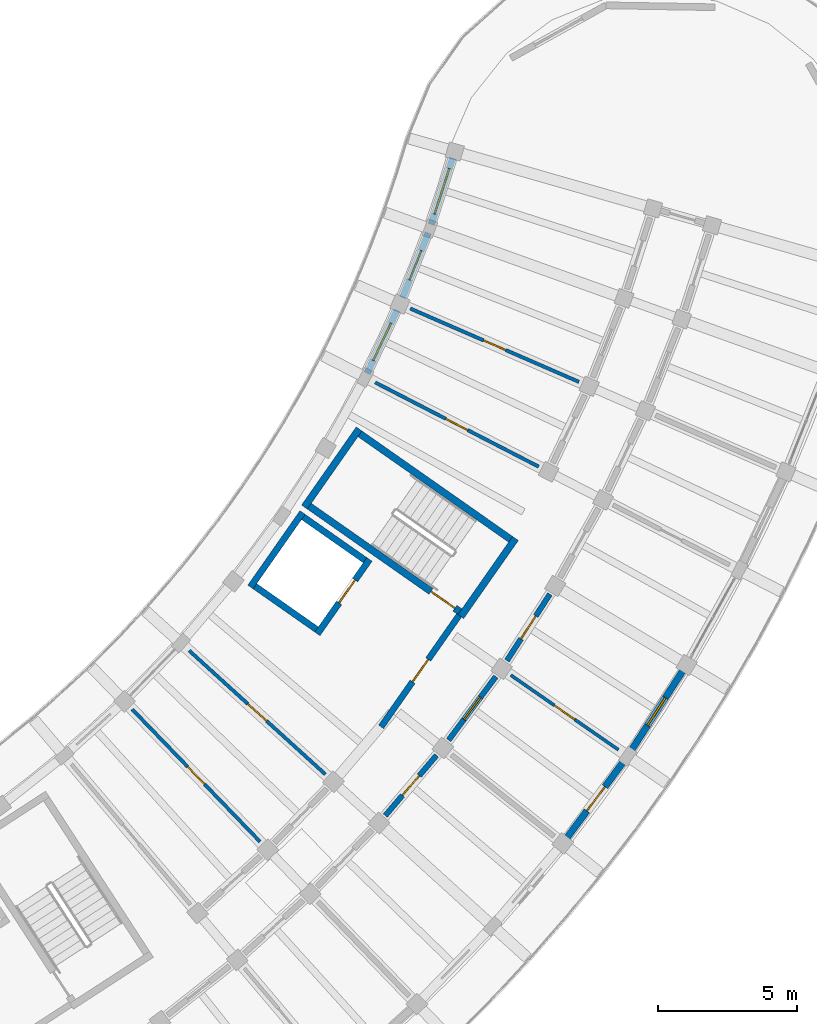
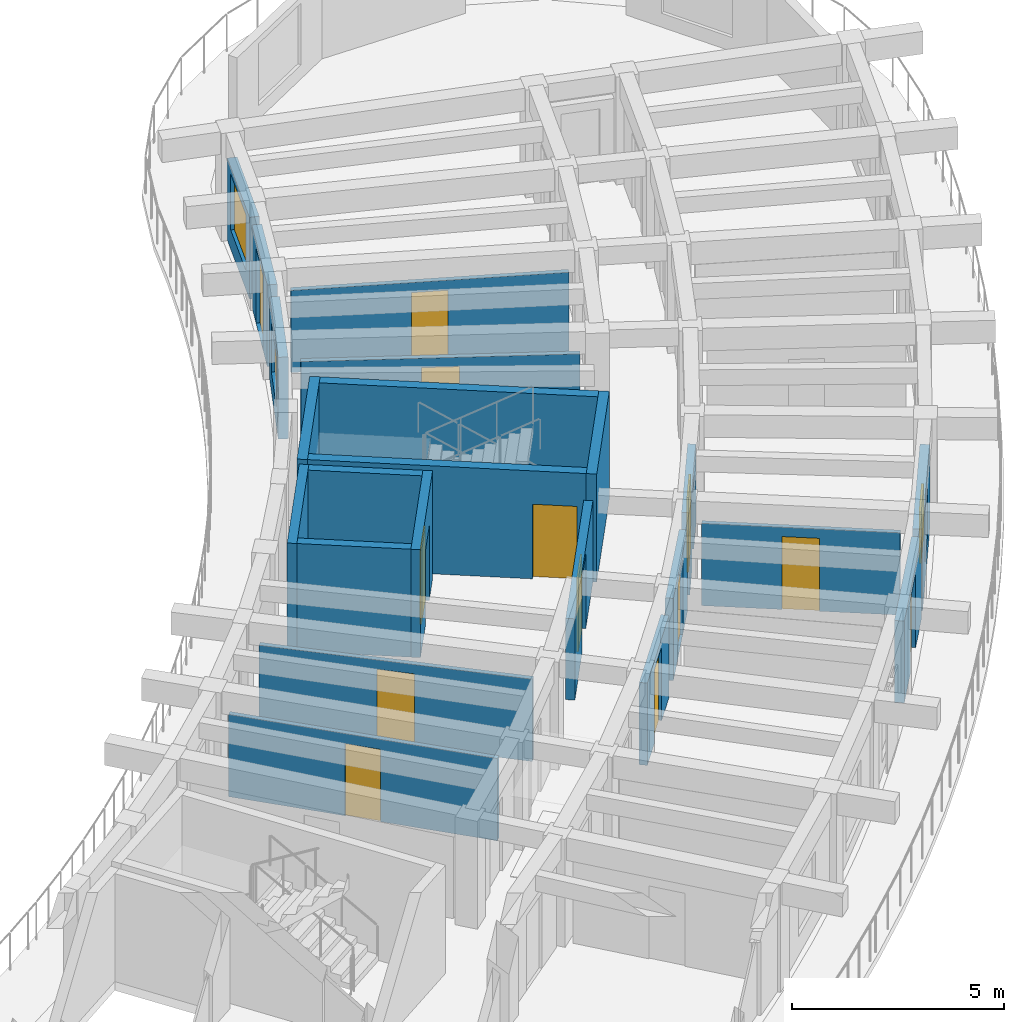
# One storey, part 68 of 96: 22 walls, 13 doors, 3 windows, 16 openings.
"""IFC4 building model written with IfcOpenShell, lengths in metres."""

from ifc_helpers import new_model, si_unit, direction, frame, frame_2d, origin, place, context, subcontext, project, spatial, rectangle, extrude, material, layer, layer_set, type_object, element, fill, save


model = new_model("IFC4")

# Units and contexts
model_context = context("Model", 3, precision=1e-05, world=origin(), true_north=direction((0.0, 1.0)))
body_context = subcontext(model_context, "Body", "Model", "MODEL_VIEW")
ifc_project = project(units=[si_unit("LENGTHUNIT", "METRE"), si_unit("AREAUNIT", "SQUARE_METRE"), si_unit("VOLUMEUNIT", "CUBIC_METRE"), si_unit("PLANEANGLEUNIT", "RADIAN"), si_unit("MASSUNIT", "GRAM", prefix="KILO")], contexts=[model_context])

# Site, building, storey
site_placement = place(None, origin())
site = spatial("IfcSite", under=ifc_project, at=site_placement, CompositionType="ELEMENT")
building_placement = place(site_placement, origin())
building = spatial("IfcBuilding", under=site, at=building_placement, Name="Tanwirah Colonnade Gardens", CompositionType="ELEMENT")
storey_placement = place(building_placement, frame((0.0, 0.0, 12.199951171875)))
storey = spatial("IfcBuildingStorey", under=building, at=storey_placement, Name="L03", CompositionType="ELEMENT", Elevation=12.199951171875)

# Wall, opening, door
ifc_material_1 = material(Name="Limestone architectural precast concrete C40/50", Category="masonry")
ifc_layer_1 = layer(ifc_material_1, 0.239990234375)
ifc_layer_set_1 = layer_set([ifc_layer_1], Name="Limestone architectural precast concrete C40/50")
wall_type_1 = type_object("IfcWallType", Name="EW-PC240", PredefinedType="SOLIDWALL", material=ifc_layer_set_1)
wall_1_placement = place(storey_placement, frame((167.75341796875, 27.6298828125, 0.0), z_axis=(0.0, 0.0, 1.0), x_axis=(0.596611432616, 0.802530247699, 0.0)))
wall_1 = element("IfcWall", 1, at=wall_1_placement, inside=storey, type_object=wall_type_1, Name="Block D L03 OUT Precast Facade Wall 10", PredefinedType="SOLIDWALL", context=body_context, shape_type="SweptSolid", body=[
    extrude(rectangle(XDim=3.48681640625, YDim=0.239990234375, at=frame_2d((1.743408203125, 0.0))), origin(), (0.0, 0.0, 1.0), 2.35498046875),
])
opening_1_placement = place(wall_1_placement, frame((1.203369140625, 0.0, 0.0)))
opening_1 = element("IfcOpeningElement", 2, at=opening_1_placement, cuts=wall_1, Name="Opening L03-ED190", PredefinedType="OPENING", context=body_context, shape_type="SweptSolid", body=[
    extrude(rectangle(XDim=1.080078125, YDim=2.14990234375, at=frame_2d((0.5400390625, 1.074951171875))), frame((0.0, 0.1298828125, 0.0), z_axis=(0.0, -1.0, 0.0), x_axis=(1.0, 0.0, 0.0)), (0.0, 0.0, 1.0), 0.260009765625),
])
ifc_material_2 = material(Name="Bronze aluminium glazed balcony door", Category="aluminium")
door_type_1 = type_object("IfcDoorType", Name="ED-BAL108", OperationType="NOTDEFINED", PredefinedType="DOOR", material=ifc_material_2)
door_1_placement = place(opening_1_placement, origin())
door_1 = element("IfcDoor", 3, at=door_1_placement, inside=storey, type_object=door_type_1, Name="Balcony glazed door L03-ED190", OperationType="SINGLE_SWING_RIGHT", OverallHeight=2.14990234375, OverallWidth=1.080078125, PredefinedType="DOOR", context=body_context, shape_type="SweptSolid", body=[
    extrude(rectangle(XDim=1.080078125, YDim=2.14990234375, at=frame_2d((0.5400390625, 1.074951171875))), frame((0.0, 0.02490234375, 0.0), z_axis=(0.0, -1.0, 0.0), x_axis=(1.0, 0.0, 0.0)), (0.0, 0.0, 1.0), 0.050048828125),
])
fill(opening_1, door_1)

# Wall, opening, window
wall_2_placement = place(storey_placement, frame((170.015869140625, 30.691162109375, 0.0), z_axis=(0.0, 0.0, 1.0), x_axis=(0.542833164741, 0.839840553472, 0.0)))
wall_2 = element("IfcWall", 4, at=wall_2_placement, inside=storey, type_object=wall_type_1, Name="Block D L03 OUT Precast Facade Wall 11", PredefinedType="SOLIDWALL", context=body_context, shape_type="SweptSolid", body=[
    extrude(rectangle(XDim=3.48681640625, YDim=0.239990234375, at=frame_2d((1.743408203125, 0.0))), origin(), (0.0, 0.0, 1.0), 2.35498046875),
])
opening_2_placement = place(wall_2_placement, frame((1.1533203125, 0.0, 0.550048828125)))
opening_2 = element("IfcOpeningElement", 5, at=opening_2_placement, cuts=wall_2, Name="Opening WIN-T16", PredefinedType="OPENING", context=body_context, shape_type="SweptSolid", body=[
    extrude(rectangle(XDim=1.179931640625, YDim=1.47998046875, at=frame_2d((0.58984375, 0.739990234375))), frame((0.0, 0.1298828125, 0.0), z_axis=(0.0, -1.0, 0.0), x_axis=(1.0, 0.0, 0.0)), (0.0, 0.0, 1.0), 0.260009765625),
])
ifc_material_3 = material(Name="Thermally broken bronze aluminium and solar low-E double glazing", Category="aluminium")
window_type_1 = type_object("IfcWindowType", Name="WIN-T16", PartitioningType="SINGLE_PANEL", PredefinedType="WINDOW", material=ifc_material_3)
window_1_placement = place(opening_2_placement, origin())
window_1 = element("IfcWindow", 6, at=window_1_placement, inside=storey, type_object=window_type_1, Name="Facade window D-L03-OUT-11", OverallHeight=1.47998046875, OverallWidth=1.179931640625, PartitioningType="SINGLE_PANEL", PredefinedType="WINDOW", context=body_context, shape_type="SweptSolid", body=[
    extrude(rectangle(XDim=1.179931640625, YDim=1.47998046875, at=frame_2d((0.58984375, 0.739990234375))), frame((0.0, 0.030029296875, 0.0), z_axis=(0.0, -1.0, 0.0), x_axis=(1.0, 0.0, 0.0)), (0.0, 0.0, 1.0), 0.06005859375),
])
fill(opening_2, window_1)

wall_3_placement = place(storey_placement, frame((160.58544921875, 44.2919921875, 0.0), z_axis=(0.0, 0.0, 1.0), x_axis=(0.428514676045, 0.903534820809, 0.0)))
wall_3 = element("IfcWall", 7, at=wall_3_placement, inside=storey, type_object=wall_type_1, Name="Block D L03 IN Precast Facade Wall 13", PredefinedType="SOLIDWALL", context=body_context, shape_type="SweptSolid", body=[
    extrude(rectangle(XDim=2.498779296875, YDim=0.239990234375, at=frame_2d((1.24951171875, 0.0))), origin(), (0.0, 0.0, 1.0), 2.35498046875),
])
opening_3_placement = place(wall_3_placement, frame((0.509521484375, 0.0, 0.550048828125)))
opening_3 = element("IfcOpeningElement", 8, at=opening_3_placement, cuts=wall_3, Name="Opening WIN-U09", PredefinedType="OPENING", context=body_context, shape_type="SweptSolid", body=[
    extrude(rectangle(XDim=1.47998046875, YDim=1.4599609375, at=frame_2d((0.739990234375, 0.72998046875))), frame((0.0, 0.1298828125, 0.0), z_axis=(0.0, -1.0, 0.0), x_axis=(1.0, 0.0, 0.0)), (0.0, 0.0, 1.0), 0.260009765625),
])
window_type_2 = type_object("IfcWindowType", Name="WIN-U09", PartitioningType="DOUBLE_PANEL_VERTICAL", PredefinedType="WINDOW", material=ifc_material_3)
window_2_placement = place(opening_3_placement, origin())
window_2 = element("IfcWindow", 9, at=window_2_placement, inside=storey, type_object=window_type_2, Name="Facade window D-L03-IN-13", OverallHeight=1.4599609375, OverallWidth=1.47998046875, PartitioningType="SINGLE_PANEL", PredefinedType="WINDOW", context=body_context, shape_type="SweptSolid", body=[
    extrude(rectangle(XDim=1.47998046875, YDim=1.4599609375, at=frame_2d((0.739990234375, 0.72998046875))), frame((0.0, 0.030029296875, 0.0), z_axis=(0.0, -1.0, 0.0), x_axis=(1.0, 0.0, 0.0)), (0.0, 0.0, 1.0), 0.06005859375),
])
fill(opening_3, window_2)

# Wall, opening, door
wall_4_placement = place(storey_placement, frame((161.85546875, 47.008056640625, 0.0), z_axis=(0.0, 0.0, 1.0), x_axis=(0.368558756085, 0.9296044553, 0.0)))
wall_4 = element("IfcWall", 10, at=wall_4_placement, inside=storey, type_object=wall_type_1, Name="Block D L03 IN Precast Facade Wall 14", PredefinedType="SOLIDWALL", context=body_context, shape_type="SweptSolid", body=[
    extrude(rectangle(XDim=2.49853515625, YDim=0.239990234375, at=frame_2d((1.249267578125, 0.0))), origin(), (0.0, 0.0, 1.0), 2.35498046875),
])
opening_4_placement = place(wall_4_placement, frame((0.679443359375, 0.0, 0.0)))
opening_4 = element("IfcOpeningElement", 11, at=opening_4_placement, cuts=wall_4, Name="Opening L03-ED191", PredefinedType="OPENING", context=body_context, shape_type="SweptSolid", body=[
    extrude(rectangle(XDim=1.139892578125, YDim=2.159912109375, at=frame_2d((0.56982421875, 1.080078125))), frame((0.0, 0.1298828125, 0.0), z_axis=(0.0, -1.0, 0.0), x_axis=(1.0, 0.0, 0.0)), (0.0, 0.0, 1.0), 0.260009765625),
])
door_type_2 = type_object("IfcDoorType", Name="ED-BAL114", OperationType="NOTDEFINED", PredefinedType="DOOR", material=ifc_material_2)
door_2_placement = place(opening_4_placement, origin())
door_2 = element("IfcDoor", 12, at=door_2_placement, inside=storey, type_object=door_type_2, Name="Balcony glazed door L03-ED191", OperationType="SINGLE_SWING_RIGHT", OverallHeight=2.159912109375, OverallWidth=1.139892578125, PredefinedType="DOOR", context=body_context, shape_type="SweptSolid", body=[
    extrude(rectangle(XDim=1.139892578125, YDim=2.159912109375, at=frame_2d((0.56982421875, 1.080078125))), frame((0.0, 0.02490234375, 0.0), z_axis=(0.0, -1.0, 0.0), x_axis=(1.0, 0.0, 0.0)), (0.0, 0.0, 1.0), 0.050048828125),
])
fill(opening_4, door_2)

# Wall, opening, window
wall_5_placement = place(storey_placement, frame((162.88427734375, 49.6318359375, 0.0), z_axis=(0.0, 0.0, 1.0), x_axis=(0.306979942778, 0.951715984279, 0.0)))
wall_5 = element("IfcWall", 13, at=wall_5_placement, inside=storey, type_object=wall_type_1, Name="Block D L03 IN Precast Facade Wall 15", PredefinedType="SOLIDWALL", context=body_context, shape_type="SweptSolid", body=[
    extrude(rectangle(XDim=2.498779296875, YDim=0.239990234375, at=frame_2d((1.24951171875, 0.0))), origin(), (0.0, 0.0, 1.0), 2.35498046875),
])
opening_5_placement = place(wall_5_placement, frame((0.389404296875, 0.0, 0.550048828125)))
opening_5 = element("IfcOpeningElement", 14, at=opening_5_placement, cuts=wall_5, Name="Opening WIN-U15", PredefinedType="OPENING", context=body_context, shape_type="SweptSolid", body=[
    extrude(rectangle(XDim=1.719970703125, YDim=1.610107421875, at=frame_2d((0.85986328125, 0.80517578125))), frame((0.0, 0.1298828125, 0.0), z_axis=(0.0, -1.0, 0.0), x_axis=(1.0, 0.0, 0.0)), (0.0, 0.0, 1.0), 0.260009765625),
])
window_type_3 = type_object("IfcWindowType", Name="WIN-U15", PartitioningType="DOUBLE_PANEL_VERTICAL", PredefinedType="WINDOW", material=ifc_material_3)
window_3_placement = place(opening_5_placement, origin())
window_3 = element("IfcWindow", 15, at=window_3_placement, inside=storey, type_object=window_type_3, Name="Facade window D-L03-IN-15", OverallHeight=1.610107421875, OverallWidth=1.719970703125, PartitioningType="SINGLE_PANEL", PredefinedType="WINDOW", context=body_context, shape_type="SweptSolid", body=[
    extrude(rectangle(XDim=1.719970703125, YDim=1.610107421875, at=frame_2d((0.85986328125, 0.80517578125))), frame((0.0, 0.030029296875, 0.0), z_axis=(0.0, -1.0, 0.0), x_axis=(1.0, 0.0, 0.0)), (0.0, 0.0, 1.0), 0.06005859375),
])
fill(opening_5, window_3)

# Wall, opening, door
ifc_material_4 = material(Name="Precast concrete C40/50", Category="concrete")
ifc_layer_2 = layer(ifc_material_4, 0.195068359375)
ifc_layer_set_2 = layer_set([ifc_layer_2], Name="Precast concrete C40/50")
wall_type_2 = type_object("IfcWallType", Name="IW-CORR195", PredefinedType="PARTITIONING", material=ifc_layer_set_2)
wall_6_placement = place(storey_placement, frame((161.235595703125, 28.42529296875, 0.0), z_axis=(0.0, 0.0, 1.0), x_axis=(0.64778830669, 0.761820392032, 0.0)))
wall_6 = element("IfcWall", 16, at=wall_6_placement, inside=storey, type_object=wall_type_2, Name="Block D L03 OUT Corridor Wall 9", PredefinedType="PARTITIONING", context=body_context, shape_type="SweptSolid", body=[
    extrude(rectangle(XDim=2.8369140625, YDim=0.195068359375, at=frame_2d((1.41845703125, 0.0))), origin(), (0.0, 0.0, 1.0), 2.3701171875),
])
opening_6_placement = place(wall_6_placement, frame((0.95361328125, 0.0, 0.0)))
opening_6 = element("IfcOpeningElement", 17, at=opening_6_placement, cuts=wall_6, Name="Opening L03-AD1784", PredefinedType="OPENING", context=body_context, shape_type="SweptSolid", body=[
    extrude(rectangle(XDim=0.929931640625, YDim=2.1201171875, at=frame_2d((0.46484375, 1.06005859375))), frame((0.0, 0.107421875, 0.0), z_axis=(0.0, -1.0, 0.0), x_axis=(1.0, 0.0, 0.0)), (0.0, 0.0, 1.0), 0.215087890625),
])
ifc_material_5 = material(Name="Solid oak fire-resisting apartment entrance door")
door_type_3 = type_object("IfcDoorType", Name="ID-FLT093", OperationType="NOTDEFINED", PredefinedType="DOOR", material=ifc_material_5)
door_3_placement = place(opening_6_placement, origin())
door_3 = element("IfcDoor", 18, at=door_3_placement, inside=storey, type_object=door_type_3, Name="Apartment corridor door L03-AD1784", OperationType="SINGLE_SWING_LEFT", OverallHeight=2.1201171875, OverallWidth=0.929931640625, PredefinedType="DOOR", context=body_context, shape_type="SweptSolid", body=[
    extrude(rectangle(XDim=0.929931640625, YDim=2.1201171875, at=frame_2d((0.46484375, 1.06005859375))), frame((0.0, 0.02490234375, 0.0), z_axis=(0.0, -1.0, 0.0), x_axis=(1.0, 0.0, 0.0)), (0.0, 0.0, 1.0), 0.050048828125),
])
fill(opening_6, door_3)

wall_7_placement = place(storey_placement, frame((163.5087890625, 31.134033203125, 0.0), z_axis=(0.0, 0.0, 1.0), x_axis=(0.596552136601, 0.802574325727, 0.0)))
wall_7 = element("IfcWall", 19, at=wall_7_placement, inside=storey, type_object=wall_type_2, Name="Block D L03 OUT Corridor Wall 10", PredefinedType="PARTITIONING", context=body_context, shape_type="SweptSolid", body=[
    extrude(rectangle(XDim=2.8369140625, YDim=0.195068359375, at=frame_2d((1.41845703125, 0.0))), origin(), (0.0, 0.0, 1.0), 2.3701171875),
])
opening_7_placement = place(wall_7_placement, frame((0.923583984375, 0.0, 0.0)))
opening_7 = element("IfcOpeningElement", 20, at=opening_7_placement, cuts=wall_7, Name="Opening L03-AD1785", PredefinedType="OPENING", context=body_context, shape_type="SweptSolid", body=[
    extrude(rectangle(XDim=0.989990234375, YDim=2.159912109375, at=frame_2d((0.4951171875, 1.080078125))), frame((0.0, 0.107421875, 0.0), z_axis=(0.0, -1.0, 0.0), x_axis=(1.0, 0.0, 0.0)), (0.0, 0.0, 1.0), 0.215087890625),
])
door_type_4 = type_object("IfcDoorType", Name="ID-FLT099", OperationType="NOTDEFINED", PredefinedType="DOOR", material=ifc_material_5)
door_4_placement = place(opening_7_placement, origin())
door_4 = element("IfcDoor", 21, at=door_4_placement, inside=storey, type_object=door_type_4, Name="Apartment corridor door L03-AD1785", OperationType="SINGLE_SWING_RIGHT", OverallHeight=2.159912109375, OverallWidth=0.989990234375, PredefinedType="DOOR", context=body_context, shape_type="SweptSolid", body=[
    extrude(rectangle(XDim=0.989990234375, YDim=2.159912109375, at=frame_2d((0.4951171875, 1.080078125))), frame((0.0, 0.02490234375, 0.0), z_axis=(0.0, -1.0, 0.0), x_axis=(1.0, 0.0, 0.0)), (0.0, 0.0, 1.0), 0.050048828125),
])
fill(opening_7, door_4)

wall_8_placement = place(storey_placement, frame((165.60009765625, 33.985595703125, 0.0), z_axis=(0.0, 0.0, 1.0), x_axis=(0.542787304957, 0.83987019329, 0.0)))
wall_8 = element("IfcWall", 22, at=wall_8_placement, inside=storey, type_object=wall_type_2, Name="Block D L03 OUT Corridor Wall 11", PredefinedType="PARTITIONING", context=body_context, shape_type="SweptSolid", body=[
    extrude(rectangle(XDim=2.8369140625, YDim=0.195068359375, at=frame_2d((1.41845703125, 0.0))), origin(), (0.0, 0.0, 1.0), 2.3701171875),
])
opening_8_placement = place(wall_8_placement, frame((0.93359375, 0.0, 0.0)))
opening_8 = element("IfcOpeningElement", 23, at=opening_8_placement, cuts=wall_8, Name="Opening L03-AD1787", PredefinedType="OPENING", context=body_context, shape_type="SweptSolid", body=[
    extrude(rectangle(XDim=0.969970703125, YDim=2.14990234375, at=frame_2d((0.48486328125, 1.074951171875))), frame((0.0, 0.107421875, 0.0), z_axis=(0.0, -1.0, 0.0), x_axis=(1.0, 0.0, 0.0)), (0.0, 0.0, 1.0), 0.215087890625),
])
door_type_5 = type_object("IfcDoorType", Name="ID-FLT097", OperationType="NOTDEFINED", PredefinedType="DOOR", material=ifc_material_5)
door_5_placement = place(opening_8_placement, origin())
door_5 = element("IfcDoor", 24, at=door_5_placement, inside=storey, type_object=door_type_5, Name="Apartment corridor door L03-AD1787", OperationType="SINGLE_SWING_LEFT", OverallHeight=2.14990234375, OverallWidth=0.969970703125, PredefinedType="DOOR", context=body_context, shape_type="SweptSolid", body=[
    extrude(rectangle(XDim=0.969970703125, YDim=2.14990234375, at=frame_2d((0.48486328125, 1.074951171875))), frame((0.0, 0.02490234375, 0.0), z_axis=(0.0, -1.0, 0.0), x_axis=(1.0, 0.0, 0.0)), (0.0, 0.0, 1.0), 0.050048828125),
])
fill(opening_8, door_5)

ifc_material_6 = material(Name="Autoclaved aerated masonry blockwork", Category="masonry")
ifc_layer_3 = layer(ifc_material_6, 0.219970703125)
ifc_layer_set_3 = layer_set([ifc_layer_3], Name="Autoclaved aerated masonry blockwork")
wall_type_3 = type_object("IfcWallType", Name="IW-FFL220", PredefinedType="PARTITIONING", material=ifc_layer_set_3)
wall_9_placement = place(storey_placement, frame((163.89501953125, 35.624267578125, 0.0), z_axis=(0.0, 0.0, 1.0), x_axis=(-0.573572687386, -0.819154669329, 0.0)))
wall_9 = element("IfcWall", 25, at=wall_9_placement, inside=storey, type_object=wall_type_3, Name="CORE-D2 L03 Enclosed Lobby Fire Wall", PredefinedType="PARTITIONING", context=body_context, shape_type="SweptSolid", body=[
    extrude(rectangle(XDim=4.900146484375, YDim=0.219970703125, at=frame_2d((2.4501953125, 0.0))), origin(), (0.0, 0.0, 1.0), 2.340087890625),
])
opening_9_placement = place(wall_9_placement, frame((1.949951171875, 0.0, 0.0)))
opening_9 = element("IfcOpeningElement", 26, at=opening_9_placement, cuts=wall_9, Name="Opening L03-LD203", PredefinedType="OPENING", context=body_context, shape_type="SweptSolid", body=[
    extrude(rectangle(XDim=0.97998046875, YDim=2.139892578125, at=frame_2d((0.489990234375, 1.06982421875))), frame((0.0, 0.119873046875, 0.0), z_axis=(0.0, -1.0, 0.0), x_axis=(1.0, 0.0, 0.0)), (0.0, 0.0, 1.0), 0.239990234375),
])
ifc_material_7 = material(Name="Acoustic fire-resisting lobby door")
door_type_6 = type_object("IfcDoorType", Name="ID-FFL098", OperationType="NOTDEFINED", PredefinedType="DOOR", material=ifc_material_7)
door_6_placement = place(opening_9_placement, origin())
door_6 = element("IfcDoor", 27, at=door_6_placement, inside=storey, type_object=door_type_6, Name="CORE-D2 L03 Lobby Fire Door L03-LD203", OperationType="SINGLE_SWING_RIGHT", OverallHeight=2.139892578125, OverallWidth=0.97998046875, PredefinedType="DOOR", context=body_context, shape_type="SweptSolid", body=[
    extrude(rectangle(XDim=0.97998046875, YDim=2.139892578125, at=frame_2d((0.489990234375, 1.06982421875))), frame((0.0, 0.02490234375, 0.0), z_axis=(0.0, -1.0, 0.0), x_axis=(1.0, 0.0, 0.0)), (0.0, 0.0, 1.0), 0.050048828125),
])
fill(opening_9, door_6)

ifc_material_8 = material(Name="Acoustic gypsum stud partition")
ifc_layer_4 = layer(ifc_material_8, 0.114990234375)
ifc_layer_set_4 = layer_set([ifc_layer_4], Name="Acoustic gypsum stud partition")
wall_type_4 = type_object("IfcWallType", Name="IW-INT115", PredefinedType="PARTITIONING", material=ifc_layer_set_4)
wall_10_placement = place(storey_placement, frame((165.73876953125, 33.463623046875, 0.0), z_axis=(0.0, 0.0, 1.0), x_axis=(0.821638260647, -0.570009270663, 0.0)))
wall_10 = element("IfcWall", 28, at=wall_10_placement, inside=storey, type_object=wall_type_4, Name="Block D L03 Radial Partition 10", PredefinedType="PARTITIONING", context=body_context, shape_type="SweptSolid", body=[
    extrude(rectangle(XDim=4.699951171875, YDim=0.114990234375, at=frame_2d((2.35009765625, 0.0))), origin(), (0.0, 0.0, 1.0), 2.3701171875),
])
opening_10_placement = place(wall_10_placement, frame((1.905029296875, 0.0, 0.0)))
opening_10 = element("IfcOpeningElement", 29, at=opening_10_placement, cuts=wall_10, Name="Opening L03-RD1786", PredefinedType="OPENING", context=body_context, shape_type="SweptSolid", body=[
    extrude(rectangle(XDim=0.889892578125, YDim=2.10009765625, at=frame_2d((0.44482421875, 1.050048828125))), frame((0.0, 0.0673828125, 0.0), z_axis=(0.0, -1.0, 0.0), x_axis=(1.0, 0.0, 0.0)), (0.0, 0.0, 1.0), 0.135009765625),
])
ifc_material_9 = material(Name="Painted hardwood bedroom door", Category="wood")
door_type_7 = type_object("IfcDoorType", Name="ID-RM089", OperationType="NOTDEFINED", PredefinedType="DOOR", material=ifc_material_9)
door_7_placement = place(opening_10_placement, origin())
door_7 = element("IfcDoor", 30, at=door_7_placement, inside=storey, type_object=door_type_7, Name="Internal apartment door L03-RD1786", OperationType="SINGLE_SWING_RIGHT", OverallHeight=2.10009765625, OverallWidth=0.889892578125, PredefinedType="DOOR", context=body_context, shape_type="SweptSolid", body=[
    extrude(rectangle(XDim=0.889892578125, YDim=2.10009765625, at=frame_2d((0.44482421875, 1.050048828125))), frame((0.0, 0.02490234375, 0.0), z_axis=(0.0, -1.0, 0.0), x_axis=(1.0, 0.0, 0.0)), (0.0, 0.0, 1.0), 0.050048828125),
])
fill(opening_10, door_7)

ifc_material_10 = material(Name="Moisture-resistant gypsum stud partition")
ifc_layer_5 = layer(ifc_material_10, 0.125)
ifc_layer_set_5 = layer_set([ifc_layer_5], Name="Moisture-resistant gypsum stud partition")
wall_type_5 = type_object("IfcWallType", Name="IW-INT125", PredefinedType="PARTITIONING", material=ifc_layer_set_5)
wall_11_placement = place(storey_placement, frame((152.155517578125, 32.237548828125, 0.0), z_axis=(0.0, 0.0, 1.0), x_axis=(0.69466250658, -0.71933580611, 0.0)))
wall_11 = element("IfcWall", 31, at=wall_11_placement, inside=storey, type_object=wall_type_5, Name="Block D L03 Inner Radial Partition 7", PredefinedType="PARTITIONING", context=body_context, shape_type="SweptSolid", body=[
    extrude(rectangle(XDim=6.599853515625, YDim=0.125, at=frame_2d((3.2998046875, 0.0))), origin(), (0.0, 0.0, 1.0), 2.3701171875),
])
opening_11_placement = place(wall_11_placement, frame((2.864990234375, 0.0, 0.0)))
opening_11 = element("IfcOpeningElement", 32, at=opening_11_placement, cuts=wall_11, Name="Opening L03-RD1780", PredefinedType="OPENING", context=body_context, shape_type="SweptSolid", body=[
    extrude(rectangle(XDim=0.8701171875, YDim=2.080078125, at=frame_2d((0.43505859375, 1.0400390625))), frame((0.0, 0.072509765625, 0.0), z_axis=(0.0, -1.0, 0.0), x_axis=(1.0, 0.0, 0.0)), (0.0, 0.0, 1.0), 0.14501953125),
])
ifc_material_11 = material(Name="Painted hardwood study door", Category="wood")
door_type_8 = type_object("IfcDoorType", Name="ID-RM087", OperationType="NOTDEFINED", PredefinedType="DOOR", material=ifc_material_11)
door_8_placement = place(opening_11_placement, origin())
door_8 = element("IfcDoor", 33, at=door_8_placement, inside=storey, type_object=door_type_8, Name="Internal apartment door L03-RD1780", OperationType="SINGLE_SWING_RIGHT", OverallHeight=2.080078125, OverallWidth=0.8701171875, PredefinedType="DOOR", context=body_context, shape_type="SweptSolid", body=[
    extrude(rectangle(XDim=0.8701171875, YDim=2.080078125, at=frame_2d((0.43505859375, 1.0400390625))), frame((0.0, 0.02490234375, 0.0), z_axis=(0.0, -1.0, 0.0), x_axis=(1.0, 0.0, 0.0)), (0.0, 0.0, 1.0), 0.050048828125),
])
fill(opening_11, door_8)

wall_12_placement = place(storey_placement, frame((154.19873046875, 34.34423828125, 0.0), z_axis=(0.0, 0.0, 1.0), x_axis=(0.74023124711, -0.672352363573, 0.0)))
wall_12 = element("IfcWall", 34, at=wall_12_placement, inside=storey, type_object=wall_type_5, Name="Block D L03 Inner Radial Partition 8", PredefinedType="PARTITIONING", context=body_context, shape_type="SweptSolid", body=[
    extrude(rectangle(XDim=6.599853515625, YDim=0.125, at=frame_2d((3.2998046875, 0.0))), origin(), (0.0, 0.0, 1.0), 2.3701171875),
])
opening_12_placement = place(wall_12_placement, frame((2.844970703125, 0.0, 0.0)))
opening_12 = element("IfcOpeningElement", 35, at=opening_12_placement, cuts=wall_12, Name="Opening L03-RD1783", PredefinedType="OPENING", context=body_context, shape_type="SweptSolid", body=[
    extrude(rectangle(XDim=0.909912109375, YDim=2.10009765625, at=frame_2d((0.455078125, 1.050048828125))), frame((0.0, 0.072509765625, 0.0), z_axis=(0.0, -1.0, 0.0), x_axis=(1.0, 0.0, 0.0)), (0.0, 0.0, 1.0), 0.14501953125),
])
ifc_material_12 = material(Name="Painted hardwood internal room door", Category="wood")
door_type_9 = type_object("IfcDoorType", Name="ID-RM091", OperationType="NOTDEFINED", PredefinedType="DOOR", material=ifc_material_12)
door_9_placement = place(opening_12_placement, origin())
door_9 = element("IfcDoor", 36, at=door_9_placement, inside=storey, type_object=door_type_9, Name="Internal apartment door L03-RD1783", OperationType="SINGLE_SWING_LEFT", OverallHeight=2.10009765625, OverallWidth=0.909912109375, PredefinedType="DOOR", context=body_context, shape_type="SweptSolid", body=[
    extrude(rectangle(XDim=0.909912109375, YDim=2.10009765625, at=frame_2d((0.455078125, 1.050048828125))), frame((0.0, 0.02490234375, 0.0), z_axis=(0.0, -1.0, 0.0), x_axis=(1.0, 0.0, 0.0)), (0.0, 0.0, 1.0), 0.050048828125),
])
fill(opening_12, door_9)

wall_13_placement = place(storey_placement, frame((160.872314453125, 43.96435546875, 0.0), z_axis=(0.0, 0.0, 1.0), x_axis=(0.889022010753, -0.457864460727, 0.0)))
wall_13 = element("IfcWall", 37, at=wall_13_placement, inside=storey, type_object=wall_type_5, Name="Block D L03 Inner Radial Partition 12", PredefinedType="PARTITIONING", context=body_context, shape_type="SweptSolid", body=[
    extrude(rectangle(XDim=6.60009765625, YDim=0.125, at=frame_2d((3.300048828125, 0.0))), origin(), (0.0, 0.0, 1.0), 2.3701171875),
])
opening_13_placement = place(wall_13_placement, frame((2.85498046875, 0.0, 0.0)))
opening_13 = element("IfcOpeningElement", 38, at=opening_13_placement, cuts=wall_13, Name="Opening L03-RD1790", PredefinedType="OPENING", context=body_context, shape_type="SweptSolid", body=[
    extrude(rectangle(XDim=0.889892578125, YDim=2.10009765625, at=frame_2d((0.44482421875, 1.050048828125))), frame((0.0, 0.072509765625, 0.0), z_axis=(0.0, -1.0, 0.0), x_axis=(1.0, 0.0, 0.0)), (0.0, 0.0, 1.0), 0.14501953125),
])
door_10_placement = place(opening_13_placement, origin())
door_10 = element("IfcDoor", 39, at=door_10_placement, inside=storey, type_object=door_type_7, Name="Internal apartment door L03-RD1790", OperationType="SINGLE_SWING_LEFT", OverallHeight=2.10009765625, OverallWidth=0.889892578125, PredefinedType="DOOR", context=body_context, shape_type="SweptSolid", body=[
    extrude(rectangle(XDim=0.889892578125, YDim=2.10009765625, at=frame_2d((0.44482421875, 1.050048828125))), frame((0.0, 0.02490234375, 0.0), z_axis=(0.0, -1.0, 0.0), x_axis=(1.0, 0.0, 0.0)), (0.0, 0.0, 1.0), 0.050048828125),
])
fill(opening_13, door_10)

wall_14_placement = place(storey_placement, frame((162.130126953125, 46.6162109375, 0.0), z_axis=(0.0, 0.0, 1.0), x_axis=(0.9170582943, -0.398753162817, 0.0)))
wall_14 = element("IfcWall", 40, at=wall_14_placement, inside=storey, type_object=wall_type_5, Name="Block D L03 Inner Radial Partition 13", PredefinedType="PARTITIONING", context=body_context, shape_type="SweptSolid", body=[
    extrude(rectangle(XDim=6.60009765625, YDim=0.125, at=frame_2d((3.300048828125, 0.0))), origin(), (0.0, 0.0, 1.0), 2.3701171875),
])
opening_14_placement = place(wall_14_placement, frame((2.864990234375, 0.0, 0.0)))
opening_14 = element("IfcOpeningElement", 41, at=opening_14_placement, cuts=wall_14, Name="Opening L03-RD1793", PredefinedType="OPENING", context=body_context, shape_type="SweptSolid", body=[
    extrude(rectangle(XDim=0.8701171875, YDim=2.080078125, at=frame_2d((0.43505859375, 1.0400390625))), frame((0.0, 0.072509765625, 0.0), z_axis=(0.0, -1.0, 0.0), x_axis=(1.0, 0.0, 0.0)), (0.0, 0.0, 1.0), 0.14501953125),
])
door_11_placement = place(opening_14_placement, origin())
door_11 = element("IfcDoor", 42, at=door_11_placement, inside=storey, type_object=door_type_8, Name="Internal apartment door L03-RD1793", OperationType="SINGLE_SWING_RIGHT", OverallHeight=2.080078125, OverallWidth=0.8701171875, PredefinedType="DOOR", context=body_context, shape_type="SweptSolid", body=[
    extrude(rectangle(XDim=0.8701171875, YDim=2.080078125, at=frame_2d((0.43505859375, 1.0400390625))), frame((0.0, 0.02490234375, 0.0), z_axis=(0.0, -1.0, 0.0), x_axis=(1.0, 0.0, 0.0)), (0.0, 0.0, 1.0), 0.050048828125),
])
fill(opening_14, door_11)

# Walls
ifc_material_13 = material(Name="Concrete C45/55", Category="concrete")
ifc_layer_6 = layer(ifc_material_13, 0.25)
ifc_layer_set_6 = layer_set([ifc_layer_6], Name="Concrete C45/55")
wall_type_6 = type_object("IfcWallType", Name="SW-CORE250", PredefinedType="SHEAR", material=ifc_layer_set_6)
wall_15_placement = place(storey_placement, frame((165.732666015625, 38.335693359375, 0.0), z_axis=(0.0, 0.0, 1.0), x_axis=(-0.819153711596, 0.573574055182, 0.0)))
element("IfcWall", 43, at=wall_15_placement, inside=storey, type_object=wall_type_6, Name="CORE-D2 L03 Stair Shaft Shear Wall LEFT", PredefinedType="SHEAR", context=body_context, shape_type="SweptSolid", body=[
    extrude(rectangle(XDim=6.60009765625, YDim=0.25, at=frame_2d((3.300048828125, 0.0))), origin(), (0.0, 0.0, 1.0), 3.110107421875),
])
for number, where, z_axis, x_axis, name in (
    (44, (160.29541015625, 42.29541015625, 0.0), (0.0, 0.0, 1.0), (-0.573582112484, -0.819148069789, 0.0), "CORE-D2 L03 Stair Shaft Shear Wall FAR"),
    (45, (165.90673828125, 38.366455078125, 0.0), (0.0, 0.0, 1.0), (-0.573582112484, -0.819148069789, 0.0), "CORE-D2 L03 Stair Shaft Shear Wall NEAR"),
):
    element("IfcWall", number, at=place(storey_placement, frame(where, z_axis=z_axis, x_axis=x_axis)), inside=storey, type_object=wall_type_6, Name=name, PredefinedType="SHEAR", context=body_context, shape_type="SweptSolid", body=[
        extrude(rectangle(XDim=3.419921875, YDim=0.25, at=frame_2d((1.7099609375, 0.0))), origin(), (0.0, 0.0, 1.0), 3.110107421875),
    ])

# Wall, opening, door
wall_16_placement = place(storey_placement, frame((163.914306640625, 35.739013671875, 0.0), z_axis=(0.0, 0.0, 1.0), x_axis=(-0.819153711596, 0.573574055182, 0.0)))
wall_16 = element("IfcWall", 46, at=wall_16_placement, inside=storey, type_object=wall_type_6, Name="CORE-D2 L03 Stair Shaft Shear Wall RIGHT", PredefinedType="SHEAR", context=body_context, shape_type="SweptSolid", body=[
    extrude(rectangle(XDim=6.60009765625, YDim=0.25, at=frame_2d((3.300048828125, 0.0))), origin(), (0.0, 0.0, 1.0), 3.110107421875),
])
opening_15_placement = place(wall_16_placement, frame((0.219970703125, 0.0, 0.0)))
opening_15 = element("IfcOpeningElement", 47, at=opening_15_placement, cuts=wall_16, Name="Opening L03-SD193", PredefinedType="OPENING", context=body_context, shape_type="SweptSolid", body=[
    extrude(rectangle(XDim=1.050048828125, YDim=2.14990234375, at=frame_2d((0.52490234375, 1.074951171875))), frame((0.0, 0.135009765625, 0.0), z_axis=(0.0, -1.0, 0.0), x_axis=(1.0, 0.0, 0.0)), (0.0, 0.0, 1.0), 0.27001953125),
])
ifc_material_14 = material(Name="Steel fire-resisting stair enclosure door", Category="steel")
door_type_10 = type_object("IfcDoorType", Name="ID-ST105", OperationType="NOTDEFINED", PredefinedType="DOOR", material=ifc_material_14)
door_12_placement = place(opening_15_placement, origin())
door_12 = element("IfcDoor", 48, at=door_12_placement, inside=storey, type_object=door_type_10, Name="CORE-D2 L03 Stair Fire Door L03-SD193", OperationType="SINGLE_SWING_RIGHT", OverallHeight=2.14990234375, OverallWidth=1.050048828125, PredefinedType="DOOR", context=body_context, shape_type="SweptSolid", body=[
    extrude(rectangle(XDim=1.050048828125, YDim=2.14990234375, at=frame_2d((0.52490234375, 1.074951171875))), frame((0.0, 0.02490234375, 0.0), z_axis=(0.0, -1.0, 0.0), x_axis=(1.0, 0.0, 0.0)), (0.0, 0.0, 1.0), 0.050048828125),
])
fill(opening_15, door_12)

ifc_layer_7 = layer(ifc_material_13, 0.22998046875)
ifc_layer_set_7 = layer_set([ifc_layer_7], Name="Concrete C45/55")
wall_type_7 = type_object("IfcWallType", Name="SW-LIFT230", PredefinedType="SHEAR", material=ifc_layer_set_7)
wall_17_placement = place(storey_placement, frame((160.66845703125, 37.614990234375, 0.0), z_axis=(0.0, 0.0, 1.0), x_axis=(-0.573582966431, -0.819147471839, 0.0)))
wall_17 = element("IfcWall", 49, at=wall_17_placement, inside=storey, type_object=wall_type_7, Name="CORE-D2 L03 Lift Shaft Wall FRONT", PredefinedType="SHEAR", context=body_context, shape_type="SweptSolid", body=[
    extrude(rectangle(XDim=3.260009765625, YDim=0.22998046875, at=frame_2d((1.6298828125, 0.0))), origin(), (0.0, 0.0, 1.0), 3.110107421875),
])
opening_16_placement = place(wall_17_placement, frame((0.89990234375, 0.0, 0.0)))
opening_16 = element("IfcOpeningElement", 50, at=opening_16_placement, cuts=wall_17, Name="Opening L03-LD-PL-D2", PredefinedType="OPENING", context=body_context, shape_type="SweptSolid", body=[
    extrude(rectangle(XDim=1.0, YDim=2.14990234375, at=frame_2d((0.5, 1.074951171875))), frame((0.0, 0.125, 0.0), z_axis=(0.0, -1.0, 0.0), x_axis=(1.0, 0.0, 0.0)), (0.0, 0.0, 1.0), 0.25),
])
ifc_material_15 = material(Name="Bronze stainless steel sliding lift landing door", Category="steel")
door_type_11 = type_object("IfcDoorType", Name="LD-PS10", OperationType="DOUBLE_DOOR_SLIDING", PredefinedType="DOOR", material=ifc_material_15)
door_13_placement = place(opening_16_placement, origin())
door_13 = element("IfcDoor", 51, at=door_13_placement, inside=storey, type_object=door_type_11, Name="Lift PL-D2 L03 Sliding Landing Door", OperationType="DOUBLE_DOOR_SLIDING", OverallHeight=2.14990234375, OverallWidth=1.0, PredefinedType="DOOR", context=body_context, shape_type="SweptSolid", body=[
    extrude(rectangle(XDim=1.0, YDim=2.14990234375, at=frame_2d((0.5, 1.074951171875))), frame((0.0, 0.02490234375, 0.0), z_axis=(0.0, -1.0, 0.0), x_axis=(1.0, 0.0, 0.0)), (0.0, 0.0, 1.0), 0.050048828125),
])
fill(opening_16, door_13)

# Walls
wall_18_placement = place(storey_placement, frame((158.268310546875, 39.295654296875, 0.0), z_axis=(0.0, 0.0, 1.0), x_axis=(-0.573582966431, -0.819147471839, 0.0)))
element("IfcWall", 52, at=wall_18_placement, inside=storey, type_object=wall_type_7, Name="CORE-D2 L03 Lift Shaft Wall BACK", PredefinedType="SHEAR", context=body_context, shape_type="SweptSolid", body=[
    extrude(rectangle(XDim=3.260009765625, YDim=0.22998046875, at=frame_2d((1.6298828125, 0.0))), origin(), (0.0, 0.0, 1.0), 3.110107421875),
])
wall_19_placement = place(storey_placement, frame((160.50830078125, 37.5869140625, 0.0), z_axis=(0.0, 0.0, 1.0), x_axis=(-0.819189439894, 0.573523026186, 0.0)))
element("IfcWall", 53, at=wall_19_placement, inside=storey, type_object=wall_type_7, Name="CORE-D2 L03 Lift Shaft Wall SIDEA", PredefinedType="SHEAR", context=body_context, shape_type="SweptSolid", body=[
    extrude(rectangle(XDim=2.7001953125, YDim=0.22998046875, at=frame_2d((1.35009765625, 0.0))), origin(), (0.0, 0.0, 1.0), 3.110107421875),
])
wall_20_placement = place(storey_placement, frame((158.770263671875, 35.104736328125, 0.0), z_axis=(0.0, 0.0, 1.0), x_axis=(-0.819117209968, 0.573626181702, 0.0)))
element("IfcWall", 54, at=wall_20_placement, inside=storey, type_object=wall_type_7, Name="CORE-D2 L03 Lift Shaft Wall SIDEB", PredefinedType="SHEAR", context=body_context, shape_type="SweptSolid", body=[
    extrude(rectangle(XDim=2.699951171875, YDim=0.22998046875, at=frame_2d((1.35009765625, 0.0))), origin(), (0.0, 0.0, 1.0), 3.110107421875),
])

save(model, "model.ifc")
